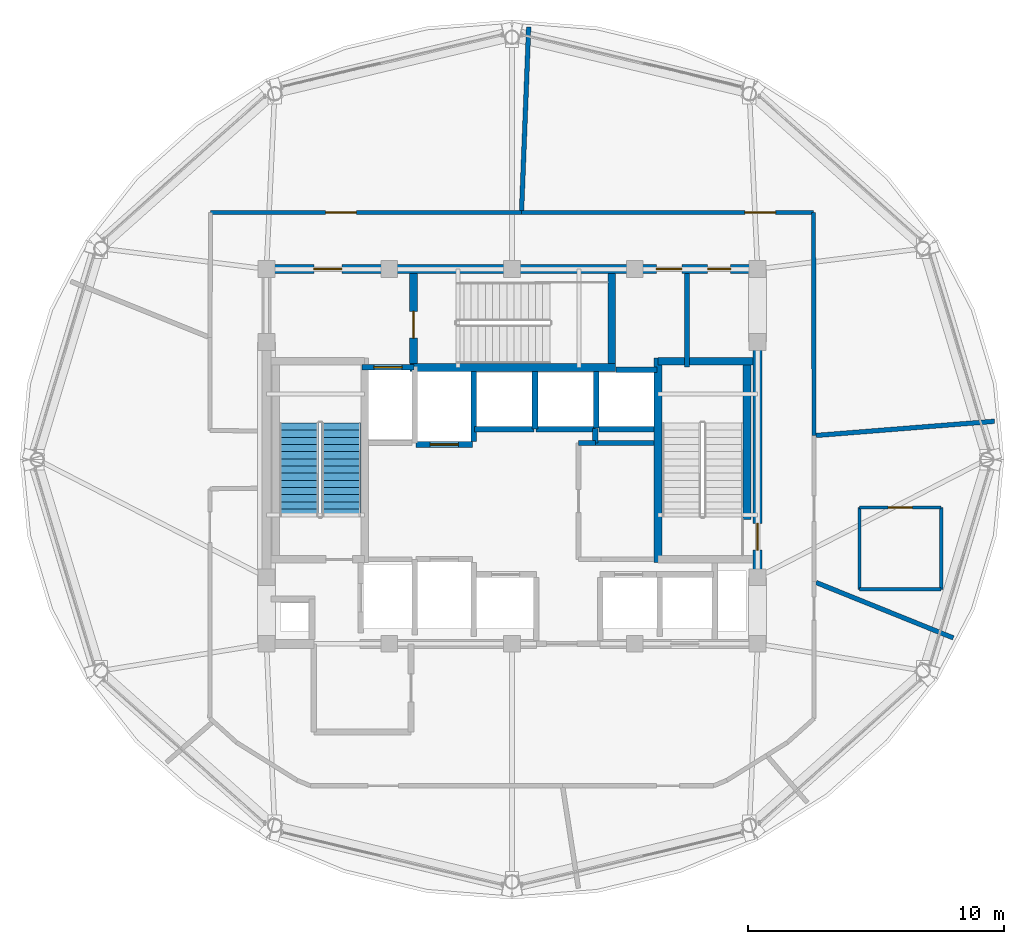
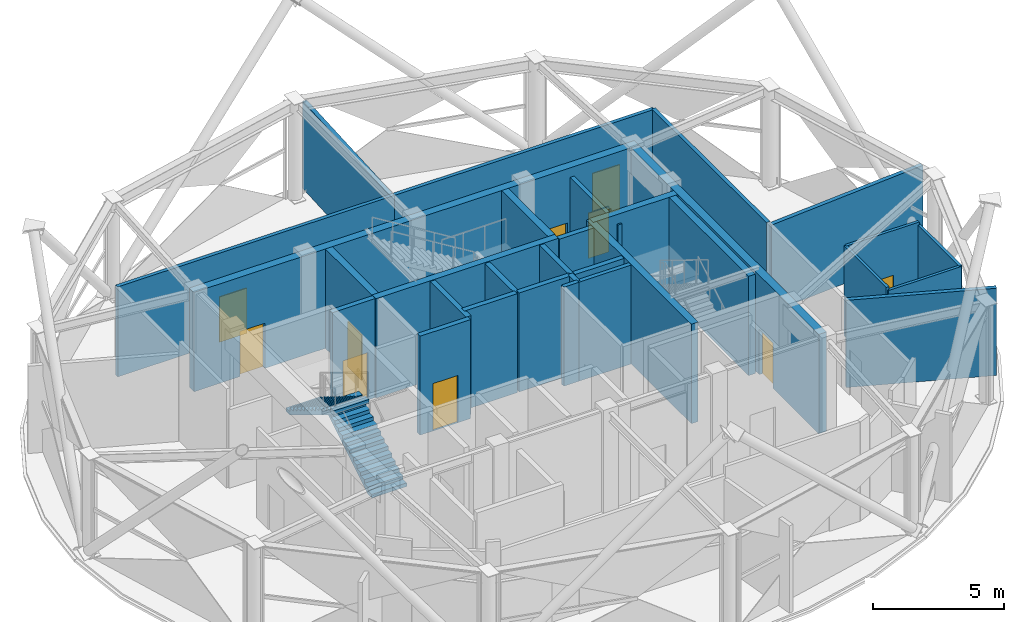
# One storey, part 22 of 27: 31 walls, 10 doors, 2 stair flights, 10 openings, 1 element without a shape of its own.
"""IFC4 building model written with IfcOpenShell, lengths in metres."""

from ifc_helpers import new_model, si_unit, direction, frame, frame_2d, origin, place, context, subcontext, project, spatial, polyline, rectangle, outline, extrude, material, layer, layer_set, type_object, element, fill, aggregate, save


model = new_model("IFC4")

# Units and contexts
model_context = context("Model", 3, precision=1e-05, world=origin(), true_north=direction((0.0, 1.0)))
body_context = subcontext(model_context, "Body", "Model", "MODEL_VIEW")
ifc_project = project(units=[si_unit("LENGTHUNIT", "METRE"), si_unit("AREAUNIT", "SQUARE_METRE"), si_unit("VOLUMEUNIT", "CUBIC_METRE"), si_unit("PLANEANGLEUNIT", "RADIAN"), si_unit("MASSUNIT", "GRAM", prefix="KILO")], contexts=[model_context])

# Site, building, storey
site_placement = place(None, origin())
site = spatial("IfcSite", under=ifc_project, at=site_placement, CompositionType="ELEMENT")
building_placement = place(site_placement, origin())
building = spatial("IfcBuilding", under=site, at=building_placement, Name="Vantalir Tower", CompositionType="ELEMENT")
storey_placement = place(building_placement, frame((0.0, 0.0, 290.10009765625)))
storey = spatial("IfcBuildingStorey", under=building, at=storey_placement, Name="L73", CompositionType="ELEMENT", Elevation=290.10009765625)

# Wall
ifc_material_1 = material(Name="Moisture-resistant en-suite partition", Category="gypsum")
ifc_layer_1 = layer(ifc_material_1, 0.125)
ifc_layer_set_1 = layer_set([ifc_layer_1], Name="Moisture-resistant en-suite partition")
wall_type_1 = type_object("IfcWallType", Name="WL-BATH-125", PredefinedType="PARTITIONING", material=ifc_layer_set_1)
wall_1_placement = place(storey_placement, frame((45.080078125, 19.928955078125, 0.0), z_axis=(0.0, 0.0, 1.0), x_axis=(1.0, 0.0, 0.0)))
element("IfcWall", 1, at=wall_1_placement, inside=storey, type_object=wall_type_1, Name="L73 Accessible WC South Wall", PredefinedType="PARTITIONING", context=body_context, shape_type="SweptSolid", body=[
    extrude(rectangle(XDim=3.199951171875, YDim=0.125, at=frame_2d((1.60009765625, 0.0))), origin(), (0.0, 0.0, 1.0), 4.052978515625),
])

# Wall, opening, door
wall_2_placement = place(storey_placement, frame((45.080078125, 23.12890625, 0.0), z_axis=(0.0, 0.0, 1.0), x_axis=(1.0, 0.0, 0.0)))
wall_2 = element("IfcWall", 2, at=wall_2_placement, inside=storey, type_object=wall_type_1, Name="L73 Accessible WC North Wall", PredefinedType="PARTITIONING", context=body_context, shape_type="SweptSolid", body=[
    extrude(rectangle(XDim=3.199951171875, YDim=0.125, at=frame_2d((1.60009765625, 0.0))), origin(), (0.0, 0.0, 1.0), 4.181884765625),
])
opening_1_placement = place(wall_2_placement, frame((1.125, 0.0, 0.0)))
opening_1 = element("IfcOpeningElement", 3, at=opening_1_placement, cuts=wall_2, Name="Opening D-AWC", PredefinedType="OPENING", context=body_context, shape_type="SweptSolid", body=[
    extrude(rectangle(XDim=0.949951171875, YDim=2.10009765625, at=frame_2d((0.47509765625, 1.050048828125))), frame((0.0, 0.072509765625, 0.0), z_axis=(0.0, -1.0, 0.0), x_axis=(1.0, 0.0, 0.0)), (0.0, 0.0, 1.0), 0.14501953125),
])
ifc_material_2 = material(Name="Accessible toilet outward-opening hardwood door", Category="wood")
door_type_1 = type_object("IfcDoorType", Name="DR-ACC-WC-950", OperationType="NOTDEFINED", PredefinedType="DOOR", material=ifc_material_2)
door_1_placement = place(opening_1_placement, origin())
door_1 = element("IfcDoor", 4, at=door_1_placement, inside=storey, type_object=door_type_1, Name="L73 Accessible WC Door", OperationType="SINGLE_SWING_LEFT", OverallHeight=2.10009765625, OverallWidth=0.949951171875, PredefinedType="DOOR", context=body_context, shape_type="SweptSolid", body=[
    extrude(rectangle(XDim=0.949951171875, YDim=2.10009765625, at=frame_2d((0.47509765625, 1.050048828125))), frame((0.0, 0.02490234375, 0.0), z_axis=(0.0, -1.0, 0.0), x_axis=(1.0, 0.0, 0.0)), (0.0, 0.0, 1.0), 0.050048828125),
])
fill(opening_1, door_1)

# Walls
wall_3_placement = place(storey_placement, frame((45.080078125, 19.928955078125, 0.0), z_axis=(0.0, 0.0, 1.0), x_axis=(0.0, 1.0, 0.0)))
element("IfcWall", 5, at=wall_3_placement, inside=storey, type_object=wall_type_1, Name="L73 Accessible WC West Wall", PredefinedType="PARTITIONING", context=body_context, shape_type="SweptSolid", body=[
    extrude(rectangle(XDim=3.199951171875, YDim=0.125, at=frame_2d((1.60009765625, 0.0))), origin(), (0.0, 0.0, 1.0), 4.181884765625),
])
wall_4_placement = place(storey_placement, frame((48.280029296875, 19.928955078125, 0.0), z_axis=(0.0, 0.0, 1.0), x_axis=(0.0, 1.0, 0.0)))
element("IfcWall", 6, at=wall_4_placement, inside=storey, type_object=wall_type_1, Name="L73 Accessible WC East Wall", PredefinedType="PARTITIONING", context=body_context, shape_type="SweptSolid", body=[
    extrude(rectangle(XDim=3.199951171875, YDim=0.125, at=frame_2d((1.60009765625, 0.0))), origin(), (0.0, 0.0, 1.0), 4.052978515625),
])

# Wall, openings, doors
ifc_material_3 = material(Name="Concrete C50/60", Category="concrete")
ifc_layer_2 = layer(ifc_material_3, 0.35009765625)
ifc_layer_set_2 = layer_set([ifc_layer_2], Name="Concrete C50/60")
wall_type_2 = type_object("IfcWallType", Name="WL-CORE-350", PredefinedType="SHEAR", material=ifc_layer_set_2)
wall_5_placement = place(storey_placement, frame((21.72509765625, 32.449951171875, 0.0), z_axis=(0.0, 0.0, 1.0), x_axis=(1.0, 0.0, 0.0)))
wall_5 = element("IfcWall", 7, at=wall_5_placement, inside=storey, type_object=wall_type_2, Name="L73 Core Shear Wall North", PredefinedType="SHEAR", context=body_context, shape_type="SweptSolid", body=[
    extrude(rectangle(XDim=19.5498046875, YDim=0.35009765625, at=frame_2d((9.77490234375, 0.0))), origin(), (0.0, 0.0, 1.0), 4.619873046875),
])
opening_2_placement = place(wall_5_placement, frame((2.02490234375, 0.0, 0.0)))
opening_2 = element("IfcOpeningElement", 8, at=opening_2_placement, cuts=wall_5, Name="Opening D-FFL", PredefinedType="OPENING", context=body_context, shape_type="SweptSolid", body=[
    extrude(rectangle(XDim=1.10009765625, YDim=2.10009765625, at=frame_2d((0.550048828125, 1.050048828125))), frame((0.0, 0.18505859375, 0.0), z_axis=(0.0, -1.0, 0.0), x_axis=(1.0, 0.0, 0.0)), (0.0, 0.0, 1.0), 0.3701171875),
])
opening_3_placement = place(wall_5_placement, frame((15.4150390625, 0.0, 0.0)))
opening_3 = element("IfcOpeningElement", 9, at=opening_3_placement, cuts=wall_5, Name="Opening D-GUEST", PredefinedType="OPENING", context=body_context, shape_type="SweptSolid", body=[
    extrude(rectangle(XDim=1.0, YDim=2.10009765625, at=frame_2d((0.5, 1.050048828125))), frame((0.0, 0.18505859375, 0.0), z_axis=(0.0, -1.0, 0.0), x_axis=(1.0, 0.0, 0.0)), (0.0, 0.0, 1.0), 0.3701171875),
])
opening_4_placement = place(wall_5_placement, frame((17.425048828125, 0.0, 0.0)))
opening_4 = element("IfcOpeningElement", 10, at=opening_4_placement, cuts=wall_5, Name="Opening D-CR", PredefinedType="OPENING", context=body_context, shape_type="SweptSolid", body=[
    extrude(rectangle(XDim=0.89990234375, YDim=2.10009765625, at=frame_2d((0.449951171875, 1.050048828125))), frame((0.0, 0.18505859375, 0.0), z_axis=(0.0, -1.0, 0.0), x_axis=(1.0, 0.0, 0.0)), (0.0, 0.0, 1.0), 0.3701171875),
])
ifc_material_4 = material(Name="Fire-rated steel core service door", Category="steel")
door_type_2 = type_object("IfcDoorType", Name="DR-CORE-SERV-900", OperationType="NOTDEFINED", PredefinedType="DOOR", material=ifc_material_4)
door_2_placement = place(opening_4_placement, frame((0.89990234375, 0.0, 0.0), z_axis=(0.0, 0.0, 1.0), x_axis=(-1.0, 0.0, 0.0)))
door_2 = element("IfcDoor", 11, at=door_2_placement, inside=storey, type_object=door_type_2, Name="L73 Housekeeping and Linen Room Door", OperationType="SINGLE_SWING_RIGHT", OverallHeight=2.10009765625, OverallWidth=0.89990234375, PredefinedType="DOOR", context=body_context, shape_type="SweptSolid", body=[
    extrude(rectangle(XDim=0.89990234375, YDim=2.10009765625, at=frame_2d((0.449951171875, 1.050048828125))), frame((0.0, 0.02490234375, 0.0), z_axis=(0.0, -1.0, 0.0), x_axis=(1.0, 0.0, 0.0)), (0.0, 0.0, 1.0), 0.050048828125),
])
fill(opening_4, door_2)
ifc_material_5 = material(Name="Fire-rated acoustic steel door", Category="steel")
door_type_3 = type_object("IfcDoorType", Name="DR-FIRE-LOBBY-1100", OperationType="NOTDEFINED", PredefinedType="DOOR", material=ifc_material_5)
door_3_placement = place(opening_2_placement, frame((1.10009765625, 0.0, 0.0), z_axis=(0.0, 0.0, 1.0), x_axis=(-1.0, 0.0, 0.0)))
door_3 = element("IfcDoor", 12, at=door_3_placement, inside=storey, type_object=door_type_3, Name="L73 Firefighting Lobby East Access Door", OperationType="SINGLE_SWING_LEFT", OverallHeight=2.10009765625, OverallWidth=1.10009765625, PredefinedType="DOOR", context=body_context, shape_type="SweptSolid", body=[
    extrude(rectangle(XDim=1.10009765625, YDim=2.10009765625, at=frame_2d((0.550048828125, 1.050048828125))), frame((0.0, 0.02490234375, 0.0), z_axis=(0.0, -1.0, 0.0), x_axis=(1.0, 0.0, 0.0)), (0.0, 0.0, 1.0), 0.050048828125),
])
fill(opening_2, door_3)
ifc_material_6 = material(Name="Solid-core teak veneer acoustic fire door", Category="wood")
door_type_4 = type_object("IfcDoorType", Name="DR-GUEST-ENTRY-1000", OperationType="NOTDEFINED", PredefinedType="DOOR", material=ifc_material_6)
door_4_placement = place(opening_3_placement, frame((1.0, 0.0, 0.0), z_axis=(0.0, 0.0, 1.0), x_axis=(-1.0, 0.0, 0.0)))
door_4 = element("IfcDoor", 13, at=door_4_placement, inside=storey, type_object=door_type_4, Name="L73 High-Rise Lift Lobby Door", OperationType="SINGLE_SWING_LEFT", OverallHeight=2.10009765625, OverallWidth=1.0, PredefinedType="DOOR", context=body_context, shape_type="SweptSolid", body=[
    extrude(rectangle(XDim=1.0, YDim=2.10009765625, at=frame_2d((0.5, 1.050048828125))), frame((0.0, 0.02490234375, 0.0), z_axis=(0.0, -1.0, 0.0), x_axis=(1.0, 0.0, 0.0)), (0.0, 0.0, 1.0), 0.050048828125),
])
fill(opening_3, door_4)

# Wall, opening, door
wall_6_placement = place(storey_placement, frame((41.10009765625, 17.97509765625, 0.0), z_axis=(0.0, 0.0, 1.0), x_axis=(0.0, 1.0, 0.0)))
wall_6 = element("IfcWall", 14, at=wall_6_placement, inside=storey, type_object=wall_type_2, Name="L73 Core Shear Wall East", PredefinedType="SHEAR", context=body_context, shape_type="SweptSolid", body=[
    extrude(rectangle(XDim=14.2998046875, YDim=0.35009765625, at=frame_2d((7.14990234375, 0.0))), origin(), (0.0, 0.0, 1.0), 4.619873046875),
])
opening_5_placement = place(wall_6_placement, frame((3.485107421875, 0.0, 0.0)))
opening_5 = element("IfcOpeningElement", 15, at=opening_5_placement, cuts=wall_6, Name="Opening D-ST", PredefinedType="OPENING", context=body_context, shape_type="SweptSolid", body=[
    extrude(rectangle(XDim=1.050048828125, YDim=2.10009765625, at=frame_2d((0.52490234375, 1.050048828125))), frame((0.0, 0.18505859375, 0.0), z_axis=(0.0, -1.0, 0.0), x_axis=(1.0, 0.0, 0.0)), (0.0, 0.0, 1.0), 0.3701171875),
])
ifc_material_7 = material(Name="Fire-rated steel door leaf", Category="steel")
door_type_5 = type_object("IfcDoorType", Name="DR-FIRE-STAIR-1050", OperationType="NOTDEFINED", PredefinedType="DOOR", material=ifc_material_7)
door_5_placement = place(opening_5_placement, origin())
door_5 = element("IfcDoor", 16, at=door_5_placement, inside=storey, type_object=door_type_5, Name="L73 Exit Stair ST2 Fire Door", OperationType="SINGLE_SWING_LEFT", OverallHeight=2.10009765625, OverallWidth=1.050048828125, PredefinedType="DOOR", context=body_context, shape_type="SweptSolid", body=[
    extrude(rectangle(XDim=1.050048828125, YDim=2.10009765625, at=frame_2d((0.52490234375, 1.050048828125))), frame((0.0, 0.02490234375, 0.0), z_axis=(0.0, -1.0, 0.0), x_axis=(1.0, 0.0, 0.0)), (0.0, 0.0, 1.0), 0.050048828125),
])
fill(opening_5, door_5)

ifc_material_8 = material(Name="Fire-rated hotel corridor acoustic partition", Category="gypsum")
ifc_layer_3 = layer(ifc_material_8, 0.159912109375)
ifc_layer_set_3 = layer_set([ifc_layer_3], Name="Fire-rated hotel corridor acoustic partition")
wall_type_3 = type_object("IfcWallType", Name="WL-CORR-160", PredefinedType="PARTITIONING", material=ifc_layer_set_3)
wall_7_placement = place(storey_placement, frame((19.7099609375, 34.662109375, 0.0), z_axis=(0.0, 0.0, 1.0), x_axis=(0.999999994963, -0.000100369359, 0.0)))
wall_7 = element("IfcWall", 17, at=wall_7_placement, inside=storey, type_object=wall_type_3, Name="L73 Corridor Partition 04", PredefinedType="PARTITIONING", context=body_context, shape_type="SweptSolid", body=[
    extrude(rectangle(XDim=12.162109375, YDim=0.159912109375, at=frame_2d((6.0810546875, 0.0))), origin(), (0.0, 0.0, 1.0), 4.181884765625),
])
opening_6_placement = place(wall_7_placement, frame((4.507080078125, 0.0, 0.0)))
opening_6 = element("IfcOpeningElement", 18, at=opening_6_placement, cuts=wall_7, Name="Opening D-STE", PredefinedType="OPENING", context=body_context, shape_type="SweptSolid", body=[
    extrude(rectangle(XDim=1.199951171875, YDim=2.10009765625, at=frame_2d((0.60009765625, 1.050048828125))), frame((0.0, 0.08984375, 0.0), z_axis=(0.0, -1.0, 0.0), x_axis=(1.0, 0.0, 0.0)), (0.0, 0.0, 1.0), 0.179931640625),
])
ifc_material_9 = material(Name="Solid-core teak veneer suite entrance door", Category="wood")
door_type_6 = type_object("IfcDoorType", Name="DR-SUITE-ENTRY-1200", OperationType="NOTDEFINED", PredefinedType="DOOR", material=ifc_material_9)
door_6_placement = place(opening_6_placement, origin())
door_6 = element("IfcDoor", 19, at=door_6_placement, inside=storey, type_object=door_type_6, Name="L73 Sky Cocktail Lounge Door", OperationType="SINGLE_SWING_RIGHT", OverallHeight=2.10009765625, OverallWidth=1.199951171875, PredefinedType="DOOR", context=body_context, shape_type="SweptSolid", body=[
    extrude(rectangle(XDim=1.199951171875, YDim=2.10009765625, at=frame_2d((0.60009765625, 1.050048828125))), frame((0.0, 0.02490234375, 0.0), z_axis=(0.0, -1.0, 0.0), x_axis=(1.0, 0.0, 0.0)), (0.0, 0.0, 1.0), 0.050048828125),
])
fill(opening_6, door_6)

wall_8_placement = place(storey_placement, frame((31.8720703125, 34.660888671875, 0.0), z_axis=(0.0, 0.0, 1.0), x_axis=(0.999999996345, -8.5499316e-05, 0.0)))
wall_8 = element("IfcWall", 20, at=wall_8_placement, inside=storey, type_object=wall_type_3, Name="L73 Corridor Partition 05", PredefinedType="PARTITIONING", context=body_context, shape_type="SweptSolid", body=[
    extrude(rectangle(XDim=11.421875, YDim=0.159912109375, at=frame_2d((5.7109375, 0.0))), origin(), (0.0, 0.0, 1.0), 4.181884765625),
])
opening_7_placement = place(wall_8_placement, frame((8.73193359375, 0.0, 0.0)))
opening_7 = element("IfcOpeningElement", 21, at=opening_7_placement, cuts=wall_8, Name="Opening D-STE", PredefinedType="OPENING", context=body_context, shape_type="SweptSolid", body=[
    extrude(rectangle(XDim=1.199951171875, YDim=2.10009765625, at=frame_2d((0.60009765625, 1.050048828125))), frame((0.0, 0.08984375, 0.0), z_axis=(0.0, -1.0, 0.0), x_axis=(1.0, 0.0, 0.0)), (0.0, 0.0, 1.0), 0.179931640625),
])
door_7_placement = place(opening_7_placement, origin())
door_7 = element("IfcDoor", 22, at=door_7_placement, inside=storey, type_object=door_type_6, Name="L73 Signature Sky Restaurant Door", OperationType="SINGLE_SWING_LEFT", OverallHeight=2.10009765625, OverallWidth=1.199951171875, PredefinedType="DOOR", context=body_context, shape_type="SweptSolid", body=[
    extrude(rectangle(XDim=1.199951171875, YDim=2.10009765625, at=frame_2d((0.60009765625, 1.050048828125))), frame((0.0, 0.02490234375, 0.0), z_axis=(0.0, -1.0, 0.0), x_axis=(1.0, 0.0, 0.0)), (0.0, 0.0, 1.0), 0.050048828125),
])
fill(opening_7, door_7)

# Walls
wall_9_placement = place(storey_placement, frame((43.2939453125, 34.659912109375, 0.0), z_axis=(0.0, 0.0, 1.0), x_axis=(0.000811665326, -0.9999996706, 0.0)))
element("IfcWall", 23, at=wall_9_placement, inside=storey, type_object=wall_type_3, Name="L73 Corridor Partition 06", PredefinedType="PARTITIONING", context=body_context, shape_type="SweptSolid", body=[
    extrude(rectangle(XDim=8.722900390625, YDim=0.159912109375, at=frame_2d((4.361328125, 0.0))), origin(), (0.0, 0.0, 1.0), 4.181884765625),
])
ifc_material_10 = material(Name="Concrete blockwork with fireboard lining", Category="masonry")
ifc_layer_4 = layer(ifc_material_10, 0.219970703125)
ifc_layer_set_4 = layer_set([ifc_layer_4], Name="Concrete blockwork with fireboard lining")
wall_type_4 = type_object("IfcWallType", Name="WL-FFL-220", PredefinedType="PARTITIONING", material=ifc_layer_set_4)
wall_10_placement = place(storey_placement, frame((30.0, 25.7099609375, 0.0), z_axis=(0.0, 0.0, 1.0), x_axis=(0.0, 1.0, 0.0)))
element("IfcWall", 24, at=wall_10_placement, inside=storey, type_object=wall_type_4, Name="L73 Service Lift SV2 East Shaft Wall", PredefinedType="PARTITIONING", context=body_context, shape_type="SweptSolid", body=[
    extrude(rectangle(XDim=2.72998046875, YDim=0.219970703125, at=frame_2d((1.364990234375, 0.0))), origin(), (0.0, 0.0, 1.0), 4.594970703125),
])
wall_11_placement = place(storey_placement, frame((32.39990234375, 26.199951171875, 0.0), z_axis=(0.0, 0.0, 1.0), x_axis=(0.0, 1.0, 0.0)))
element("IfcWall", 25, at=wall_11_placement, inside=storey, type_object=wall_type_4, Name="L73 High-Rise Lift PL-H1/H2 Shaft Divider", PredefinedType="PARTITIONING", context=body_context, shape_type="SweptSolid", body=[
    extrude(rectangle(XDim=2.239990234375, YDim=0.219970703125, at=frame_2d((1.1201171875, 0.0))), origin(), (0.0, 0.0, 1.0), 4.594970703125),
])
wall_12_placement = place(storey_placement, frame((34.800048828125, 26.22998046875, 0.0), z_axis=(0.0, 0.0, 1.0), x_axis=(0.0, 1.0, 0.0)))
element("IfcWall", 26, at=wall_12_placement, inside=storey, type_object=wall_type_4, Name="L73 High-Rise Lift PL-H2/H3 Shaft Divider", PredefinedType="PARTITIONING", context=body_context, shape_type="SweptSolid", body=[
    extrude(rectangle(XDim=2.2099609375, YDim=0.219970703125, at=frame_2d((1.10498046875, 0.0))), origin(), (0.0, 0.0, 1.0), 4.594970703125),
])
wall_13_placement = place(storey_placement, frame((34.909912109375, 26.18994140625, 0.0), z_axis=(0.0, 0.0, 1.0), x_axis=(1.0, 0.0, 0.0)))
element("IfcWall", 27, at=wall_13_placement, inside=storey, type_object=wall_type_4, Name="L73 High-Rise Lift PL-H3 Rear Shaft Wall", PredefinedType="PARTITIONING", context=body_context, shape_type="SweptSolid", body=[
    extrude(rectangle(XDim=2.14013671875, YDim=0.219970703125, at=frame_2d((1.070068359375, 0.0))), origin(), (0.0, 0.0, 1.0), 4.594970703125),
])

# Wall, opening, door
wall_14_placement = place(storey_placement, frame((25.639892578125, 28.610107421875, 0.0), z_axis=(0.0, 0.0, 1.0), x_axis=(1.0, 0.0, 0.0)))
wall_14 = element("IfcWall", 28, at=wall_14_placement, inside=storey, type_object=wall_type_4, Name="L73 Lift FL2 Shaft Front Wall", PredefinedType="PARTITIONING", context=body_context, shape_type="SweptSolid", body=[
    extrude(rectangle(XDim=2.02001953125, YDim=0.219970703125, at=frame_2d((1.010009765625, 0.0))), origin(), (0.0, 0.0, 1.0), 4.599853515625),
])
opening_8_placement = place(wall_14_placement, frame((0.4599609375, 0.0, 0.0)))
opening_8 = element("IfcOpeningElement", 29, at=opening_8_placement, cuts=wall_14, Name="Opening LD-FL2", PredefinedType="OPENING", context=body_context, shape_type="SweptSolid", body=[
    extrude(rectangle(XDim=1.10009765625, YDim=2.199951171875, at=frame_2d((0.550048828125, 1.10009765625))), frame((0.0, 0.119873046875, 0.0), z_axis=(0.0, -1.0, 0.0), x_axis=(1.0, 0.0, 0.0)), (0.0, 0.0, 1.0), 0.239990234375),
])
ifc_material_11 = material(Name="Brushed stainless-steel sliding lift landing door", Category="steel")
door_type_7 = type_object("IfcDoorType", Name="DR-LIFT-LANDING-1100", OperationType="DOUBLE_DOOR_SLIDING", PredefinedType="DOOR", material=ifc_material_11)
door_8_placement = place(opening_8_placement, origin())
door_8 = element("IfcDoor", 30, at=door_8_placement, inside=storey, type_object=door_type_7, Name="L73 Lift Landing Door FL2", OperationType="DOUBLE_DOOR_SLIDING", OverallHeight=2.199951171875, OverallWidth=1.10009765625, PredefinedType="DOOR", context=body_context, shape_type="SweptSolid", body=[
    extrude(rectangle(XDim=1.10009765625, YDim=2.199951171875, at=frame_2d((0.550048828125, 1.10009765625))), frame((0.0, 0.02490234375, 0.0), z_axis=(0.0, -1.0, 0.0), x_axis=(1.0, 0.0, 0.0)), (0.0, 0.0, 1.0), 0.050048828125),
])
fill(opening_8, door_8)

wall_15_placement = place(storey_placement, frame((27.739990234375, 25.590087890625, 0.0), z_axis=(0.0, 0.0, 1.0), x_axis=(1.0, 0.0, 0.0)))
wall_15 = element("IfcWall", 31, at=wall_15_placement, inside=storey, type_object=wall_type_4, Name="L73 Lift SV2 Shaft Front Wall", PredefinedType="PARTITIONING", context=body_context, shape_type="SweptSolid", body=[
    extrude(rectangle(XDim=2.219970703125, YDim=0.219970703125, at=frame_2d((1.10986328125, 0.0))), origin(), (0.0, 0.0, 1.0), 4.599853515625),
])
opening_9_placement = place(wall_15_placement, frame((0.56005859375, 0.0, 0.0)))
opening_9 = element("IfcOpeningElement", 32, at=opening_9_placement, cuts=wall_15, Name="Opening LD-SV2", PredefinedType="OPENING", context=body_context, shape_type="SweptSolid", body=[
    extrude(rectangle(XDim=1.10009765625, YDim=2.199951171875, at=frame_2d((0.550048828125, 1.10009765625))), frame((0.0, 0.119873046875, 0.0), z_axis=(0.0, -1.0, 0.0), x_axis=(1.0, 0.0, 0.0)), (0.0, 0.0, 1.0), 0.239990234375),
])
door_9_placement = place(opening_9_placement, frame((1.10009765625, 0.0, 0.0), z_axis=(0.0, 0.0, 1.0), x_axis=(-1.0, 0.0, 0.0)))
door_9 = element("IfcDoor", 33, at=door_9_placement, inside=storey, type_object=door_type_7, Name="L73 Lift Landing Door SV2", OperationType="DOUBLE_DOOR_SLIDING", OverallHeight=2.199951171875, OverallWidth=1.10009765625, PredefinedType="DOOR", context=body_context, shape_type="SweptSolid", body=[
    extrude(rectangle(XDim=1.10009765625, YDim=2.199951171875, at=frame_2d((0.550048828125, 1.10009765625))), frame((0.0, 0.02490234375, 0.0), z_axis=(0.0, -1.0, 0.0), x_axis=(1.0, 0.0, 0.0)), (0.0, 0.0, 1.0), 0.050048828125),
])
fill(opening_9, door_9)

# Walls
for number, where, z_axis, x_axis, name in (
    (34, (30.0400390625, 26.18994140625, 0.0), (0.0, 0.0, 1.0), (1.0, 0.0, 0.0), "L73 Lift PL-H1 Shaft Front Wall"),
    (35, (32.43994140625, 26.18994140625, 0.0), (0.0, 0.0, 1.0), (1.0, 0.0, 0.0), "L73 Lift PL-H2 Shaft Front Wall"),
):
    element("IfcWall", number, at=place(storey_placement, frame(where, z_axis=z_axis, x_axis=x_axis)), inside=storey, type_object=wall_type_4, Name=name, PredefinedType="PARTITIONING", context=body_context, shape_type="SweptSolid", body=[
        extrude(rectangle(XDim=2.320068359375, YDim=0.219970703125, at=frame_2d((1.16015625, 0.0))), origin(), (0.0, 0.0, 1.0), 4.599853515625),
    ])
wall_16_placement = place(storey_placement, frame((35.56005859375, 28.510009765625, 0.0), z_axis=(0.0, 0.0, 1.0), x_axis=(1.0, 0.0, 0.0)))
element("IfcWall", 36, at=wall_16_placement, inside=storey, type_object=wall_type_4, Name="L73 Lift PL-H3 Shaft Front Wall", PredefinedType="PARTITIONING", context=body_context, shape_type="SweptSolid", body=[
    extrude(rectangle(XDim=1.599853515625, YDim=0.219970703125, at=frame_2d((0.7998046875, 0.0))), origin(), (0.0, 0.0, 1.0), 4.599853515625),
])
wall_17_placement = place(storey_placement, frame((34.760009765625, 25.64990234375, 0.0), z_axis=(0.0, 0.0, 1.0), x_axis=(0.0, 1.0, 0.0)))
element("IfcWall", 37, at=wall_17_placement, inside=storey, type_object=wall_type_4, Name="L73 High-Rise Shaft Shoulder Wall", PredefinedType="PARTITIONING", context=body_context, shape_type="SweptSolid", body=[
    extrude(rectangle(XDim=0.570068359375, YDim=0.219970703125, at=frame_2d((0.28515625, 0.0))), origin(), (0.0, 0.0, 1.0), 4.599853515625),
])
ifc_material_12 = material(Name="Twin-stud acoustic fire-rated gypsum partition", Category="gypsum")
ifc_layer_5 = layer(ifc_material_12, 0.179931640625)
ifc_layer_set_5 = layer_set([ifc_layer_5], Name="Twin-stud acoustic fire-rated gypsum partition")
wall_type_5 = type_object("IfcWallType", Name="WL-GUEST-180", PredefinedType="PARTITIONING", material=ifc_layer_set_5)
wall_18_placement = place(storey_placement, frame((34.719970703125, 25.64990234375, 0.0), z_axis=(0.0, 0.0, 1.0), x_axis=(1.0, 0.0, 0.0)))
element("IfcWall", 38, at=wall_18_placement, inside=storey, type_object=wall_type_5, Name="L73 Freed East Core North Wall", PredefinedType="PARTITIONING", context=body_context, shape_type="SweptSolid", body=[
    extrude(rectangle(XDim=2.340087890625, YDim=0.179931640625, at=frame_2d((1.169921875, 0.0))), origin(), (0.0, 0.0, 1.0), 4.599853515625),
])
wall_19_placement = place(storey_placement, frame((34.10009765625, 25.64990234375, 0.0), z_axis=(0.0, 0.0, 1.0), x_axis=(1.0, 0.0, 0.0)))
element("IfcWall", 39, at=wall_19_placement, inside=storey, type_object=wall_type_5, Name="L73 East Core Room North Return", PredefinedType="PARTITIONING", context=body_context, shape_type="SweptSolid", body=[
    extrude(rectangle(XDim=0.659912109375, YDim=0.179931640625, at=frame_2d((0.330078125, 0.0))), origin(), (0.0, 0.0, 1.0), 4.599853515625),
])
wall_20_placement = place(storey_placement, frame((38.340087890625, 28.6201171875, 0.0), z_axis=(0.0, 0.0, 1.0), x_axis=(0.0, 1.0, 0.0)))
element("IfcWall", 40, at=wall_20_placement, inside=storey, type_object=wall_type_5, Name="L73 High-Rise Lift Lobby East Wall", PredefinedType="PARTITIONING", context=body_context, shape_type="SweptSolid", body=[
    extrude(rectangle(XDim=3.65478515625, YDim=0.179931640625, at=frame_2d((1.827392578125, 0.0))), origin(), (0.0, 0.0, 1.0), 4.181884765625),
])
wall_21_placement = place(storey_placement, frame((43.389892578125, 25.944091796875, 0.0), z_axis=(0.0, 0.0, 1.0), x_axis=(0.996859403846, 0.079191722825, 0.0)))
element("IfcWall", 41, at=wall_21_placement, inside=storey, type_object=wall_type_5, Name="L73 Radial Suite Partition 01", PredefinedType="PARTITIONING", context=body_context, shape_type="SweptSolid", body=[
    extrude(rectangle(XDim=6.9951171875, YDim=0.179931640625, at=frame_2d((3.49755859375, 0.0))), origin(), (0.0, 0.0, 1.0), 4.052978515625),
])
wall_22_placement = place(storey_placement, frame((31.875, 34.739990234375, 0.0), z_axis=(0.0, 0.0, 1.0), x_axis=(0.038443574595, 0.999260772558, 0.0)))
element("IfcWall", 42, at=wall_22_placement, inside=storey, type_object=wall_type_5, Name="L73 Radial Suite Partition 02", PredefinedType="PARTITIONING", context=body_context, shape_type="SweptSolid", body=[
    extrude(rectangle(XDim=7.17626953125, YDim=0.179931640625, at=frame_2d((3.588134765625, 0.0))), origin(), (0.0, 0.0, 1.0), 4.052978515625),
])
wall_23_placement = place(storey_placement, frame((43.389892578125, 20.196044921875, 0.0), z_axis=(0.0, 0.0, 1.0), x_axis=(0.927231408347, -0.374488872165, 0.0)))
element("IfcWall", 43, at=wall_23_placement, inside=storey, type_object=wall_type_5, Name="L73 Radial Suite Partition 07", PredefinedType="PARTITIONING", context=body_context, shape_type="SweptSolid", body=[
    extrude(rectangle(XDim=5.783935546875, YDim=0.179931640625, at=frame_2d((2.89208984375, 0.0))), origin(), (0.0, 0.0, 1.0), 4.052978515625),
])
ifc_layer_6 = layer(ifc_material_3, 0.300048828125)
ifc_layer_set_6 = layer_set([ifc_layer_6], Name="Concrete C50/60")
wall_type_6 = type_object("IfcWallType", Name="WL-STAIR-300", PredefinedType="SHEAR", material=ifc_layer_set_6)
wall_24_placement = place(storey_placement, frame((37.2099609375, 28.85009765625, 0.0), z_axis=(0.0, 0.0, 1.0), x_axis=(1.0, 0.0, 0.0)))
element("IfcWall", 44, at=wall_24_placement, inside=storey, type_object=wall_type_6, Name="L73 Stair ST2 North Wall", PredefinedType="SHEAR", context=body_context, shape_type="SweptSolid", body=[
    extrude(rectangle(XDim=3.715087890625, YDim=0.300048828125, at=frame_2d((1.857421875, 0.0))), origin(), (0.0, 0.0, 1.0), 4.619873046875),
])
wall_25_placement = place(storey_placement, frame((37.2099609375, 20.97998046875, 0.0), z_axis=(0.0, 0.0, 1.0), x_axis=(0.0, 1.0, 0.0)))
element("IfcWall", 45, at=wall_25_placement, inside=storey, type_object=wall_type_6, Name="L73 Stair ST2 West Wall", PredefinedType="SHEAR", context=body_context, shape_type="SweptSolid", body=[
    extrude(rectangle(XDim=7.989990234375, YDim=0.300048828125, at=frame_2d((3.9951171875, 0.0))), origin(), (0.0, 0.0, 1.0), 4.619873046875),
])
wall_26_placement = place(storey_placement, frame((40.68994140625, 22.64990234375, 0.0), z_axis=(0.0, 0.0, 1.0), x_axis=(0.0, 1.0, 0.0)))
element("IfcWall", 46, at=wall_26_placement, inside=storey, type_object=wall_type_6, Name="L73 Stair ST2 East Liner Wall", PredefinedType="SHEAR", context=body_context, shape_type="SweptSolid", body=[
    extrude(rectangle(XDim=6.2001953125, YDim=0.300048828125, at=frame_2d((3.10009765625, 0.0))), origin(), (0.0, 0.0, 1.0), 4.619873046875),
])
wall_27_placement = place(storey_placement, frame((27.510009765625, 28.60009765625, 0.0), z_axis=(0.0, 0.0, 1.0), x_axis=(1.0, 0.0, 0.0)))
element("IfcWall", 47, at=wall_27_placement, inside=storey, type_object=wall_type_6, Name="L73 Stair ST3 South Wall", PredefinedType="SHEAR", context=body_context, shape_type="SweptSolid", body=[
    extrude(rectangle(XDim=8.030029296875, YDim=0.300048828125, at=frame_2d((4.01513671875, 0.0))), origin(), (0.0, 0.0, 1.0), 4.619873046875),
])

# Wall, opening, door
wall_28_placement = place(storey_placement, frame((27.64990234375, 28.75, 0.0), z_axis=(0.0, 0.0, 1.0), x_axis=(0.0, 1.0, 0.0)))
wall_28 = element("IfcWall", 48, at=wall_28_placement, inside=storey, type_object=wall_type_6, Name="L73 Stair ST3 West Wall", PredefinedType="SHEAR", context=body_context, shape_type="SweptSolid", body=[
    extrude(rectangle(XDim=3.52490234375, YDim=0.300048828125, at=frame_2d((1.762451171875, 0.0))), origin(), (0.0, 0.0, 1.0), 4.619873046875),
])
opening_10_placement = place(wall_28_placement, frame((1.0, 0.0, 0.0)))
opening_10 = element("IfcOpeningElement", 49, at=opening_10_placement, cuts=wall_28, Name="Opening D-ST", PredefinedType="OPENING", context=body_context, shape_type="SweptSolid", body=[
    extrude(rectangle(XDim=1.050048828125, YDim=2.10009765625, at=frame_2d((0.52490234375, 1.050048828125))), frame((0.0, 0.159912109375, 0.0), z_axis=(0.0, -1.0, 0.0), x_axis=(1.0, 0.0, 0.0)), (0.0, 0.0, 1.0), 0.320068359375),
])
door_10_placement = place(opening_10_placement, frame((1.050048828125, 0.0, 0.0), z_axis=(0.0, 0.0, 1.0), x_axis=(-1.0, 0.0, 0.0)))
door_10 = element("IfcDoor", 50, at=door_10_placement, inside=storey, type_object=door_type_5, Name="L73 Exit Stair ST3 Fire Door", OperationType="SINGLE_SWING_RIGHT", OverallHeight=2.10009765625, OverallWidth=1.050048828125, PredefinedType="DOOR", context=body_context, shape_type="SweptSolid", body=[
    extrude(rectangle(XDim=1.050048828125, YDim=2.10009765625, at=frame_2d((0.52490234375, 1.050048828125))), frame((0.0, 0.02490234375, 0.0), z_axis=(0.0, -1.0, 0.0), x_axis=(1.0, 0.0, 0.0)), (0.0, 0.0, 1.0), 0.050048828125),
])
fill(opening_10, door_10)

# Wall
wall_29_placement = place(storey_placement, frame((35.39990234375, 28.75, 0.0), z_axis=(0.0, 0.0, 1.0), x_axis=(0.0, 1.0, 0.0)))
element("IfcWall", 51, at=wall_29_placement, inside=storey, type_object=wall_type_6, Name="L73 Stair ST3 East Wall", PredefinedType="SHEAR", context=body_context, shape_type="SweptSolid", body=[
    extrude(rectangle(XDim=3.52490234375, YDim=0.300048828125, at=frame_2d((1.762451171875, 0.0))), origin(), (0.0, 0.0, 1.0), 4.619873046875),
])

# Stair, stair flights
ifc_material_13 = material(Name="Concrete C40/50", Category="concrete")
stair_type = type_object("IfcStairType", Name="STR-CORE-1450", PredefinedType="HALF_TURN_STAIR", material=ifc_material_13)
stair_placement = place(storey_placement, origin())
stair = element("IfcStair", 52, at=stair_placement, inside=storey, type_object=stair_type, Name="L73 Core Exit Stair 1", PredefinedType="HALF_TURN_STAIR")
stair_flight_type = type_object("IfcStairFlightType", Name="FLT-CORE-1450", PredefinedType="STRAIGHT", material=ifc_material_13)
stair_flight_1_placement = place(storey_placement, frame((24.830078125, 22.7900390625, 0.0), z_axis=(0.0, 0.0, 1.0), x_axis=(0.0, 1.0, 0.0)))
stair_flight_1 = element("IfcStairFlight", 53, at=stair_flight_1_placement, type_object=stair_flight_type, Name="ST1 flight 1", NumberOfRisers=14, NumberOfTreads=13, PredefinedType="STRAIGHT", RiserHeight=0.171428571, TreadLength=0.28, context=body_context, shape_type="SweptSolid", body=[
    extrude(outline(polyline([(0.0, 0.0), (0.0, 0.17138671875), (0.280029296875, 0.17138671875), (0.280029296875, 0.3427734375), (0.56005859375, 0.3427734375), (0.56005859375, 0.514404296875), (0.840087890625, 0.514404296875), (0.840087890625, 0.685791015625), (1.1201171875, 0.685791015625), (1.1201171875, 0.857177734375), (1.39990234375, 0.857177734375), (1.39990234375, 1.028564453125), (1.679931640625, 1.028564453125), (1.679931640625, 1.199951171875), (1.9599609375, 1.199951171875), (1.9599609375, 1.371337890625), (2.239990234375, 1.371337890625), (2.239990234375, 1.54296875), (2.52001953125, 1.54296875), (2.52001953125, 1.71435546875), (2.800048828125, 1.71435546875), (2.800048828125, 1.8857421875), (3.080078125, 1.8857421875), (3.080078125, 2.05712890625), (3.360107421875, 2.05712890625), (3.360107421875, 2.228515625), (3.639892578125, 2.228515625), (3.639892578125, 2.39990234375), (3.639892578125, 2.052734375), (0.287109375, 0.0), (0.0, 0.0)])), frame((0.0, 0.77001953125, 0.0), z_axis=(0.0, -1.0, 0.0), x_axis=(1.0, 0.0, 0.0)), (0.0, 0.0, 1.0), 1.5400390625),
])
stair_flight_2_placement = place(storey_placement, frame((23.169921875, 26.429931640625, 2.39990234375), z_axis=(0.0, 0.0, 1.0), x_axis=(0.0, -1.0, 0.0)))
stair_flight_2 = element("IfcStairFlight", 54, at=stair_flight_2_placement, type_object=stair_flight_type, Name="ST1 flight 2", NumberOfRisers=14, NumberOfTreads=13, PredefinedType="STRAIGHT", RiserHeight=0.171428571, TreadLength=0.28, context=body_context, shape_type="SweptSolid", body=[
    extrude(outline(polyline([(0.0, 0.0), (0.0, 0.17138671875), (0.280029296875, 0.17138671875), (0.280029296875, 0.3427734375), (0.56005859375, 0.3427734375), (0.56005859375, 0.514404296875), (0.840087890625, 0.514404296875), (0.840087890625, 0.685791015625), (1.1201171875, 0.685791015625), (1.1201171875, 0.857177734375), (1.39990234375, 0.857177734375), (1.39990234375, 1.028564453125), (1.679931640625, 1.028564453125), (1.679931640625, 1.199951171875), (1.9599609375, 1.199951171875), (1.9599609375, 1.371337890625), (2.239990234375, 1.371337890625), (2.239990234375, 1.54296875), (2.52001953125, 1.54296875), (2.52001953125, 1.71435546875), (2.800048828125, 1.71435546875), (2.800048828125, 1.8857421875), (3.080078125, 1.8857421875), (3.080078125, 2.05712890625), (3.360107421875, 2.05712890625), (3.360107421875, 2.228515625), (3.639892578125, 2.228515625), (3.639892578125, 2.39990234375), (3.639892578125, 2.052734375), (0.287109375, 0.0), (0.0, 0.0)])), frame((0.0, 0.77001953125, 0.0), z_axis=(0.0, -1.0, 0.0), x_axis=(1.0, 0.0, 0.0)), (0.0, 0.0, 1.0), 1.5400390625),
])
aggregate(stair, [stair_flight_1, stair_flight_2])

save(model, "model.ifc")
